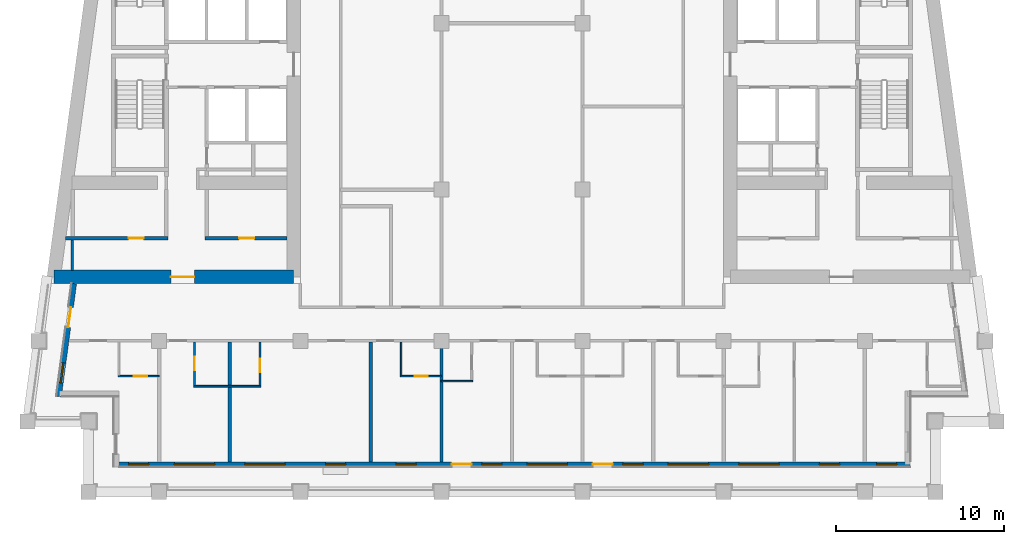
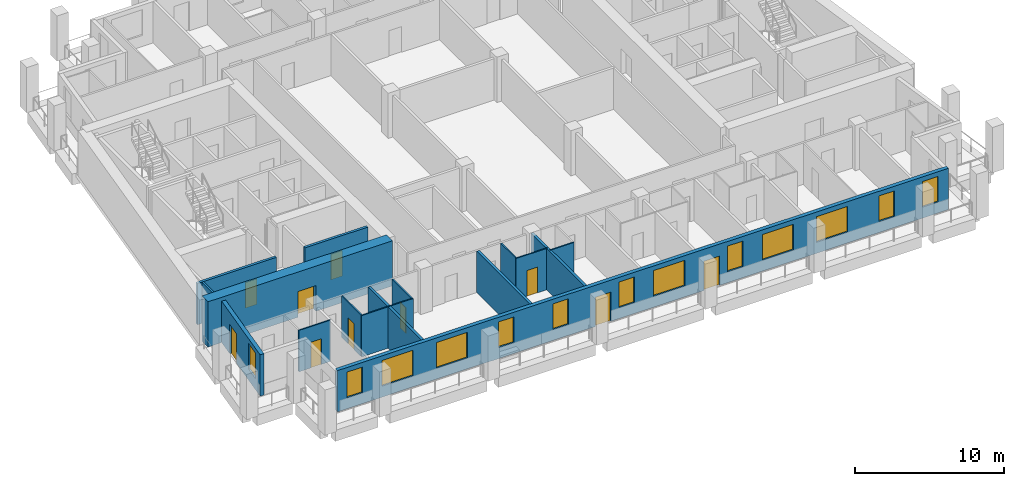
# One storey, part 2 of 12: 16 walls, 13 windows, 10 doors, 23 openings.
"""IFC4 building model written with IfcOpenShell, lengths in metres."""

from ifc_helpers import new_model, si_unit, direction, frame, frame_2d, origin, place, context, subcontext, project, spatial, rectangle, extrude, material, layer, layer_set, type_object, element, fill, save


model = new_model("IFC4")

# Units and contexts
model_context = context("Model", 3, precision=1e-05, world=origin(), true_north=direction((0.0, 1.0)))
body_context = subcontext(model_context, "Body", "Model", "MODEL_VIEW")
ifc_project = project(units=[si_unit("LENGTHUNIT", "METRE"), si_unit("AREAUNIT", "SQUARE_METRE"), si_unit("VOLUMEUNIT", "CUBIC_METRE"), si_unit("PLANEANGLEUNIT", "RADIAN"), si_unit("MASSUNIT", "GRAM", prefix="KILO")], contexts=[model_context])

# Site, building, storey
site_placement = place(None, origin())
site = spatial("IfcSite", under=ifc_project, at=site_placement, CompositionType="ELEMENT")
building_placement = place(site_placement, origin())
building = spatial("IfcBuilding", under=site, at=building_placement, Name="Candeia Pilgrim Tower and Theatre", CompositionType="ELEMENT")
storey_placement = place(building_placement, frame((0.0, 0.0, 217.0)))
storey = spatial("IfcBuildingStorey", under=building, at=storey_placement, Name="L52", CompositionType="ELEMENT", Elevation=217.0)

# Wall, opening, door
ifc_material_1 = material(Name="Concrete C50/60", Category="concrete")
ifc_layer_1 = layer(ifc_material_1, 0.800048828125)
ifc_layer_set_1 = layer_set([ifc_layer_1], Name="Core wall 800 C50/60")
wall_type_1 = type_object("IfcWallType", Name="Core wall 800 C50/60", PredefinedType="SHEAR", material=ifc_layer_set_1)
wall_1_placement = place(storey_placement, frame((100.39990234375, 110.800048828125, 0.0), z_axis=(0.0, 0.0, 1.0), x_axis=(-1.0, 0.0, 0.0)))
wall_1 = element("IfcWall", 1, at=wall_1_placement, inside=storey, type_object=wall_type_1, Name="Core wall W3", PredefinedType="SHEAR", context=body_context, shape_type="SweptSolid", body=[
    extrude(rectangle(XDim=14.273193359375, YDim=0.800048828125, at=frame_2d((7.13671875, 0.0))), origin(), (0.0, 0.0, 1.0), 3.699951171875),
])
opening_1_placement = place(wall_1_placement, frame((5.907958984375, 0.0, 0.0)))
opening_1 = element("IfcOpeningElement", 2, at=opening_1_placement, cuts=wall_1, Name="Opening L52-D053", PredefinedType="OPENING", context=body_context, shape_type="SweptSolid", body=[
    extrude(rectangle(XDim=1.39990234375, YDim=2.10009765625, at=frame_2d((0.699951171875, 1.050048828125))), frame((0.0, 0.41015625, 0.0), z_axis=(0.0, -1.0, 0.0), x_axis=(1.0, 0.0, 0.0)), (0.0, 0.0, 1.0), 0.820068359375),
])
ifc_material_2 = material(Name="Steel fire door set", Category="steel")
door_type_1 = type_object("IfcDoorType", Name="D-1400-FD60", OperationType="NOTDEFINED", PredefinedType="DOOR", material=ifc_material_2)
door_1_placement = place(opening_1_placement, origin())
door_1 = element("IfcDoor", 3, at=door_1_placement, inside=storey, type_object=door_type_1, Name="Door L52-D053", OperationType="SINGLE_SWING_LEFT", OverallHeight=2.10009765625, OverallWidth=1.39990234375, PredefinedType="DOOR", context=body_context, shape_type="SweptSolid", body=[
    extrude(rectangle(XDim=1.39990234375, YDim=2.10009765625, at=frame_2d((0.699951171875, 1.050048828125))), frame((0.0, 0.02490234375, 0.0), z_axis=(0.0, -1.0, 0.0), x_axis=(1.0, 0.0, 0.0)), (0.0, 0.0, 1.0), 0.050048828125),
])
fill(opening_1, door_1)

# Wall, openings, doors, windows
ifc_material_3 = material(Name="Ceramic block masonry", Category="masonry")
ifc_layer_2 = layer(ifc_material_3, 0.300048828125)
ifc_layer_set_2 = layer_set([ifc_layer_2], Name="EW1 glazing-line wall 300")
wall_type_2 = type_object("IfcWallType", Name="EW1 glazing-line wall 300", PredefinedType="SOLIDWALL", material=ifc_layer_set_2)
wall_2_placement = place(storey_placement, frame((89.85009765625, 99.64990234375, 0.0), z_axis=(0.0, 0.0, 1.0), x_axis=(1.0, 0.0, 0.0)))
wall_2 = element("IfcWall", 4, at=wall_2_placement, inside=storey, type_object=wall_type_2, Name="External wall L52-0.0", PredefinedType="SOLIDWALL", context=body_context, shape_type="SweptSolid", body=[
    extrude(rectangle(XDim=47.25, YDim=0.300048828125, at=frame_2d((23.625, 0.0))), origin(), (0.0, 0.0, 1.0), 3.3798828125),
])
opening_2_placement = place(wall_2_placement, frame((0.72509765625, 0.0, 0.89990234375)))
opening_2 = element("IfcOpeningElement", 5, at=opening_2_placement, cuts=wall_2, Name="Opening W-B", PredefinedType="OPENING", context=body_context, shape_type="SweptSolid", body=[
    extrude(rectangle(XDim=1.199951171875, YDim=2.10009765625, at=frame_2d((0.60009765625, 1.050048828125))), frame((0.0, 0.16015625, 0.0), z_axis=(0.0, -1.0, 0.0), x_axis=(1.0, 0.0, 0.0)), (0.0, 0.0, 1.0), 0.320068359375),
])
opening_3_placement = place(wall_2_placement, frame((3.449951171875, 0.0, 0.89990234375)))
opening_3 = element("IfcOpeningElement", 6, at=opening_3_placement, cuts=wall_2, Name="Opening W-A", PredefinedType="OPENING", context=body_context, shape_type="SweptSolid", body=[
    extrude(rectangle(XDim=2.39990234375, YDim=2.10009765625, at=frame_2d((1.199951171875, 1.050048828125))), frame((0.0, 0.16015625, 0.0), z_axis=(0.0, -1.0, 0.0), x_axis=(1.0, 0.0, 0.0)), (0.0, 0.0, 1.0), 0.320068359375),
])
opening_4_placement = place(wall_2_placement, frame((7.64990234375, 0.0, 0.89990234375)))
opening_4 = element("IfcOpeningElement", 7, at=opening_4_placement, cuts=wall_2, Name="Opening W-A", PredefinedType="OPENING", context=body_context, shape_type="SweptSolid", body=[
    extrude(rectangle(XDim=2.39990234375, YDim=2.10009765625, at=frame_2d((1.199951171875, 1.050048828125))), frame((0.0, 0.16015625, 0.0), z_axis=(0.0, -1.0, 0.0), x_axis=(1.0, 0.0, 0.0)), (0.0, 0.0, 1.0), 0.320068359375),
])
opening_5_placement = place(wall_2_placement, frame((12.449951171875, 0.0, 0.89990234375)))
opening_5 = element("IfcOpeningElement", 8, at=opening_5_placement, cuts=wall_2, Name="Opening W-B", PredefinedType="OPENING", context=body_context, shape_type="SweptSolid", body=[
    extrude(rectangle(XDim=1.199951171875, YDim=2.10009765625, at=frame_2d((0.60009765625, 1.050048828125))), frame((0.0, 0.16015625, 0.0), z_axis=(0.0, -1.0, 0.0), x_axis=(1.0, 0.0, 0.0)), (0.0, 0.0, 1.0), 0.320068359375),
])
opening_6_placement = place(wall_2_placement, frame((16.64990234375, 0.0, 0.89990234375)))
opening_6 = element("IfcOpeningElement", 9, at=opening_6_placement, cuts=wall_2, Name="Opening W-B", PredefinedType="OPENING", context=body_context, shape_type="SweptSolid", body=[
    extrude(rectangle(XDim=1.199951171875, YDim=2.10009765625, at=frame_2d((0.60009765625, 1.050048828125))), frame((0.0, 0.16015625, 0.0), z_axis=(0.0, -1.0, 0.0), x_axis=(1.0, 0.0, 0.0)), (0.0, 0.0, 1.0), 0.320068359375),
])
opening_7_placement = place(wall_2_placement, frame((19.949951171875, 0.0, 0.0)))
opening_7 = element("IfcOpeningElement", 10, at=opening_7_placement, cuts=wall_2, Name="Opening L52-ED493", PredefinedType="OPENING", context=body_context, shape_type="SweptSolid", body=[
    extrude(rectangle(XDim=1.199951171875, YDim=2.39990234375, at=frame_2d((0.60009765625, 1.199951171875))), frame((0.0, 0.16015625, 0.0), z_axis=(0.0, -1.0, 0.0), x_axis=(1.0, 0.0, 0.0)), (0.0, 0.0, 1.0), 0.320068359375),
])
opening_8_placement = place(wall_2_placement, frame((21.75, 0.0, 0.89990234375)))
opening_8 = element("IfcOpeningElement", 11, at=opening_8_placement, cuts=wall_2, Name="Opening W-B", PredefinedType="OPENING", context=body_context, shape_type="SweptSolid", body=[
    extrude(rectangle(XDim=1.199951171875, YDim=2.10009765625, at=frame_2d((0.60009765625, 1.050048828125))), frame((0.0, 0.16015625, 0.0), z_axis=(0.0, -1.0, 0.0), x_axis=(1.0, 0.0, 0.0)), (0.0, 0.0, 1.0), 0.320068359375),
])
opening_9_placement = place(wall_2_placement, frame((24.449951171875, 0.0, 0.89990234375)))
opening_9 = element("IfcOpeningElement", 12, at=opening_9_placement, cuts=wall_2, Name="Opening W-A", PredefinedType="OPENING", context=body_context, shape_type="SweptSolid", body=[
    extrude(rectangle(XDim=2.39990234375, YDim=2.10009765625, at=frame_2d((1.199951171875, 1.050048828125))), frame((0.0, 0.16015625, 0.0), z_axis=(0.0, -1.0, 0.0), x_axis=(1.0, 0.0, 0.0)), (0.0, 0.0, 1.0), 0.320068359375),
])
opening_10_placement = place(wall_2_placement, frame((28.35009765625, 0.0, 0.0)))
opening_10 = element("IfcOpeningElement", 13, at=opening_10_placement, cuts=wall_2, Name="Opening L52-ED494", PredefinedType="OPENING", context=body_context, shape_type="SweptSolid", body=[
    extrude(rectangle(XDim=1.199951171875, YDim=2.39990234375, at=frame_2d((0.60009765625, 1.199951171875))), frame((0.0, 0.16015625, 0.0), z_axis=(0.0, -1.0, 0.0), x_axis=(1.0, 0.0, 0.0)), (0.0, 0.0, 1.0), 0.320068359375),
])
opening_11_placement = place(wall_2_placement, frame((30.14990234375, 0.0, 0.89990234375)))
opening_11 = element("IfcOpeningElement", 14, at=opening_11_placement, cuts=wall_2, Name="Opening W-B", PredefinedType="OPENING", context=body_context, shape_type="SweptSolid", body=[
    extrude(rectangle(XDim=1.199951171875, YDim=2.10009765625, at=frame_2d((0.60009765625, 1.050048828125))), frame((0.0, 0.16015625, 0.0), z_axis=(0.0, -1.0, 0.0), x_axis=(1.0, 0.0, 0.0)), (0.0, 0.0, 1.0), 0.320068359375),
])
opening_12_placement = place(wall_2_placement, frame((32.85009765625, 0.0, 0.89990234375)))
opening_12 = element("IfcOpeningElement", 15, at=opening_12_placement, cuts=wall_2, Name="Opening W-A", PredefinedType="OPENING", context=body_context, shape_type="SweptSolid", body=[
    extrude(rectangle(XDim=2.39990234375, YDim=2.10009765625, at=frame_2d((1.199951171875, 1.050048828125))), frame((0.0, 0.16015625, 0.0), z_axis=(0.0, -1.0, 0.0), x_axis=(1.0, 0.0, 0.0)), (0.0, 0.0, 1.0), 0.320068359375),
])
opening_13_placement = place(wall_2_placement, frame((37.050048828125, 0.0, 0.89990234375)))
opening_13 = element("IfcOpeningElement", 16, at=opening_13_placement, cuts=wall_2, Name="Opening W-A", PredefinedType="OPENING", context=body_context, shape_type="SweptSolid", body=[
    extrude(rectangle(XDim=2.39990234375, YDim=2.10009765625, at=frame_2d((1.199951171875, 1.050048828125))), frame((0.0, 0.16015625, 0.0), z_axis=(0.0, -1.0, 0.0), x_axis=(1.0, 0.0, 0.0)), (0.0, 0.0, 1.0), 0.320068359375),
])
opening_14_placement = place(wall_2_placement, frame((41.85009765625, 0.0, 0.89990234375)))
opening_14 = element("IfcOpeningElement", 17, at=opening_14_placement, cuts=wall_2, Name="Opening W-B", PredefinedType="OPENING", context=body_context, shape_type="SweptSolid", body=[
    extrude(rectangle(XDim=1.199951171875, YDim=2.10009765625, at=frame_2d((0.60009765625, 1.050048828125))), frame((0.0, 0.16015625, 0.0), z_axis=(0.0, -1.0, 0.0), x_axis=(1.0, 0.0, 0.0)), (0.0, 0.0, 1.0), 0.320068359375),
])
opening_15_placement = place(wall_2_placement, frame((45.25, 0.0, 0.89990234375)))
opening_15 = element("IfcOpeningElement", 18, at=opening_15_placement, cuts=wall_2, Name="Opening W-B", PredefinedType="OPENING", context=body_context, shape_type="SweptSolid", body=[
    extrude(rectangle(XDim=1.199951171875, YDim=2.10009765625, at=frame_2d((0.60009765625, 1.050048828125))), frame((0.0, 0.16015625, 0.0), z_axis=(0.0, -1.0, 0.0), x_axis=(1.0, 0.0, 0.0)), (0.0, 0.0, 1.0), 0.320068359375),
])
ifc_material_4 = material(Name="Aluminium framed glazed door", Category="aluminium")
door_type_2 = type_object("IfcDoorType", Name="Loggia door 1200x2400", OperationType="DOUBLE_DOOR_SINGLE_SWING", PredefinedType="DOOR", material=ifc_material_4)
door_2_placement = place(opening_7_placement, origin())
door_2 = element("IfcDoor", 19, at=door_2_placement, inside=storey, type_object=door_type_2, Name="Loggia door L52-ED493", OperationType="DOUBLE_DOOR_SINGLE_SWING", OverallHeight=2.39990234375, OverallWidth=1.199951171875, PredefinedType="DOOR", context=body_context, shape_type="SweptSolid", body=[
    extrude(rectangle(XDim=1.199951171875, YDim=2.39990234375, at=frame_2d((0.60009765625, 1.199951171875))), frame((0.0, 0.02490234375, 0.0), z_axis=(0.0, -1.0, 0.0), x_axis=(1.0, 0.0, 0.0)), (0.0, 0.0, 1.0), 0.050048828125),
])
fill(opening_7, door_2)
door_3_placement = place(opening_10_placement, origin())
door_3 = element("IfcDoor", 20, at=door_3_placement, inside=storey, type_object=door_type_2, Name="Loggia door L52-ED494", OperationType="DOUBLE_DOOR_SINGLE_SWING", OverallHeight=2.39990234375, OverallWidth=1.199951171875, PredefinedType="DOOR", context=body_context, shape_type="SweptSolid", body=[
    extrude(rectangle(XDim=1.199951171875, YDim=2.39990234375, at=frame_2d((0.60009765625, 1.199951171875))), frame((0.0, 0.02490234375, 0.0), z_axis=(0.0, -1.0, 0.0), x_axis=(1.0, 0.0, 0.0)), (0.0, 0.0, 1.0), 0.050048828125),
])
fill(opening_10, door_3)
ifc_material_5 = material(Name="Aluminium framed double glazing", Category="aluminium")
window_type_1 = type_object("IfcWindowType", Name="W-A window 2400x2100", PartitioningType="DOUBLE_PANEL_VERTICAL", PredefinedType="WINDOW", material=ifc_material_5)
window_1_placement = place(opening_3_placement, origin())
window_1 = element("IfcWindow", 21, at=window_1_placement, inside=storey, type_object=window_type_1, Name="Window W-A L52", OverallHeight=2.10009765625, OverallWidth=2.39990234375, PartitioningType="SINGLE_PANEL", PredefinedType="WINDOW", context=body_context, shape_type="SweptSolid", body=[
    extrude(rectangle(XDim=2.39990234375, YDim=2.10009765625, at=frame_2d((1.199951171875, 1.050048828125))), frame((0.0, 0.030029296875, 0.0), z_axis=(0.0, -1.0, 0.0), x_axis=(1.0, 0.0, 0.0)), (0.0, 0.0, 1.0), 0.06005859375),
])
fill(opening_3, window_1)
window_2_placement = place(opening_4_placement, origin())
window_2 = element("IfcWindow", 22, at=window_2_placement, inside=storey, type_object=window_type_1, Name="Window W-A L52", OverallHeight=2.10009765625, OverallWidth=2.39990234375, PartitioningType="SINGLE_PANEL", PredefinedType="WINDOW", context=body_context, shape_type="SweptSolid", body=[
    extrude(rectangle(XDim=2.39990234375, YDim=2.10009765625, at=frame_2d((1.199951171875, 1.050048828125))), frame((0.0, 0.030029296875, 0.0), z_axis=(0.0, -1.0, 0.0), x_axis=(1.0, 0.0, 0.0)), (0.0, 0.0, 1.0), 0.06005859375),
])
fill(opening_4, window_2)
window_3_placement = place(opening_9_placement, origin())
window_3 = element("IfcWindow", 23, at=window_3_placement, inside=storey, type_object=window_type_1, Name="Window W-A L52", OverallHeight=2.10009765625, OverallWidth=2.39990234375, PartitioningType="SINGLE_PANEL", PredefinedType="WINDOW", context=body_context, shape_type="SweptSolid", body=[
    extrude(rectangle(XDim=2.39990234375, YDim=2.10009765625, at=frame_2d((1.199951171875, 1.050048828125))), frame((0.0, 0.030029296875, 0.0), z_axis=(0.0, -1.0, 0.0), x_axis=(1.0, 0.0, 0.0)), (0.0, 0.0, 1.0), 0.06005859375),
])
fill(opening_9, window_3)
window_4_placement = place(opening_12_placement, origin())
window_4 = element("IfcWindow", 24, at=window_4_placement, inside=storey, type_object=window_type_1, Name="Window W-A L52", OverallHeight=2.10009765625, OverallWidth=2.39990234375, PartitioningType="SINGLE_PANEL", PredefinedType="WINDOW", context=body_context, shape_type="SweptSolid", body=[
    extrude(rectangle(XDim=2.39990234375, YDim=2.10009765625, at=frame_2d((1.199951171875, 1.050048828125))), frame((0.0, 0.030029296875, 0.0), z_axis=(0.0, -1.0, 0.0), x_axis=(1.0, 0.0, 0.0)), (0.0, 0.0, 1.0), 0.06005859375),
])
fill(opening_12, window_4)
window_5_placement = place(opening_13_placement, origin())
window_5 = element("IfcWindow", 25, at=window_5_placement, inside=storey, type_object=window_type_1, Name="Window W-A L52", OverallHeight=2.10009765625, OverallWidth=2.39990234375, PartitioningType="SINGLE_PANEL", PredefinedType="WINDOW", context=body_context, shape_type="SweptSolid", body=[
    extrude(rectangle(XDim=2.39990234375, YDim=2.10009765625, at=frame_2d((1.199951171875, 1.050048828125))), frame((0.0, 0.030029296875, 0.0), z_axis=(0.0, -1.0, 0.0), x_axis=(1.0, 0.0, 0.0)), (0.0, 0.0, 1.0), 0.06005859375),
])
fill(opening_13, window_5)
window_type_2 = type_object("IfcWindowType", Name="W-B window 1200x2100", PartitioningType="SINGLE_PANEL", PredefinedType="WINDOW", material=ifc_material_5)
window_6_placement = place(opening_2_placement, origin())
window_6 = element("IfcWindow", 26, at=window_6_placement, inside=storey, type_object=window_type_2, Name="Window W-B L52", OverallHeight=2.10009765625, OverallWidth=1.199951171875, PartitioningType="SINGLE_PANEL", PredefinedType="WINDOW", context=body_context, shape_type="SweptSolid", body=[
    extrude(rectangle(XDim=1.199951171875, YDim=2.10009765625, at=frame_2d((0.60009765625, 1.050048828125))), frame((0.0, 0.030029296875, 0.0), z_axis=(0.0, -1.0, 0.0), x_axis=(1.0, 0.0, 0.0)), (0.0, 0.0, 1.0), 0.06005859375),
])
fill(opening_2, window_6)
window_7_placement = place(opening_5_placement, origin())
window_7 = element("IfcWindow", 27, at=window_7_placement, inside=storey, type_object=window_type_2, Name="Window W-B L52", OverallHeight=2.10009765625, OverallWidth=1.199951171875, PartitioningType="SINGLE_PANEL", PredefinedType="WINDOW", context=body_context, shape_type="SweptSolid", body=[
    extrude(rectangle(XDim=1.199951171875, YDim=2.10009765625, at=frame_2d((0.60009765625, 1.050048828125))), frame((0.0, 0.030029296875, 0.0), z_axis=(0.0, -1.0, 0.0), x_axis=(1.0, 0.0, 0.0)), (0.0, 0.0, 1.0), 0.06005859375),
])
fill(opening_5, window_7)
window_8_placement = place(opening_6_placement, origin())
window_8 = element("IfcWindow", 28, at=window_8_placement, inside=storey, type_object=window_type_2, Name="Window W-B L52", OverallHeight=2.10009765625, OverallWidth=1.199951171875, PartitioningType="SINGLE_PANEL", PredefinedType="WINDOW", context=body_context, shape_type="SweptSolid", body=[
    extrude(rectangle(XDim=1.199951171875, YDim=2.10009765625, at=frame_2d((0.60009765625, 1.050048828125))), frame((0.0, 0.030029296875, 0.0), z_axis=(0.0, -1.0, 0.0), x_axis=(1.0, 0.0, 0.0)), (0.0, 0.0, 1.0), 0.06005859375),
])
fill(opening_6, window_8)
window_9_placement = place(opening_8_placement, origin())
window_9 = element("IfcWindow", 29, at=window_9_placement, inside=storey, type_object=window_type_2, Name="Window W-B L52", OverallHeight=2.10009765625, OverallWidth=1.199951171875, PartitioningType="SINGLE_PANEL", PredefinedType="WINDOW", context=body_context, shape_type="SweptSolid", body=[
    extrude(rectangle(XDim=1.199951171875, YDim=2.10009765625, at=frame_2d((0.60009765625, 1.050048828125))), frame((0.0, 0.030029296875, 0.0), z_axis=(0.0, -1.0, 0.0), x_axis=(1.0, 0.0, 0.0)), (0.0, 0.0, 1.0), 0.06005859375),
])
fill(opening_8, window_9)
window_10_placement = place(opening_11_placement, origin())
window_10 = element("IfcWindow", 30, at=window_10_placement, inside=storey, type_object=window_type_2, Name="Window W-B L52", OverallHeight=2.10009765625, OverallWidth=1.199951171875, PartitioningType="SINGLE_PANEL", PredefinedType="WINDOW", context=body_context, shape_type="SweptSolid", body=[
    extrude(rectangle(XDim=1.199951171875, YDim=2.10009765625, at=frame_2d((0.60009765625, 1.050048828125))), frame((0.0, 0.030029296875, 0.0), z_axis=(0.0, -1.0, 0.0), x_axis=(1.0, 0.0, 0.0)), (0.0, 0.0, 1.0), 0.06005859375),
])
fill(opening_11, window_10)
window_11_placement = place(opening_14_placement, origin())
window_11 = element("IfcWindow", 31, at=window_11_placement, inside=storey, type_object=window_type_2, Name="Window W-B L52", OverallHeight=2.10009765625, OverallWidth=1.199951171875, PartitioningType="SINGLE_PANEL", PredefinedType="WINDOW", context=body_context, shape_type="SweptSolid", body=[
    extrude(rectangle(XDim=1.199951171875, YDim=2.10009765625, at=frame_2d((0.60009765625, 1.050048828125))), frame((0.0, 0.030029296875, 0.0), z_axis=(0.0, -1.0, 0.0), x_axis=(1.0, 0.0, 0.0)), (0.0, 0.0, 1.0), 0.06005859375),
])
fill(opening_14, window_11)
window_12_placement = place(opening_15_placement, origin())
window_12 = element("IfcWindow", 32, at=window_12_placement, inside=storey, type_object=window_type_2, Name="Window W-B L52", OverallHeight=2.10009765625, OverallWidth=1.199951171875, PartitioningType="SINGLE_PANEL", PredefinedType="WINDOW", context=body_context, shape_type="SweptSolid", body=[
    extrude(rectangle(XDim=1.199951171875, YDim=2.10009765625, at=frame_2d((0.60009765625, 1.050048828125))), frame((0.0, 0.030029296875, 0.0), z_axis=(0.0, -1.0, 0.0), x_axis=(1.0, 0.0, 0.0)), (0.0, 0.0, 1.0), 0.06005859375),
])
fill(opening_15, window_12)

# Wall, openings, door, window
wall_3_placement = place(storey_placement, frame((87.334228515625, 110.39990234375, 0.0), z_axis=(0.0, 0.0, 1.0), x_axis=(-0.133437175554, -0.991057273915, 0.0)))
wall_3 = element("IfcWall", 33, at=wall_3_placement, inside=storey, type_object=wall_type_2, Name="External wall L52-9.1", PredefinedType="SOLIDWALL", context=body_context, shape_type="SweptSolid", body=[
    extrude(rectangle(XDim=6.780517578125, YDim=0.300048828125, at=frame_2d((3.39013671875, 0.0))), origin(), (0.0, 0.0, 1.0), 3.3798828125),
])
opening_16_placement = place(wall_3_placement, frame((1.41796875, 0.0, 0.0)))
opening_16 = element("IfcOpeningElement", 34, at=opening_16_placement, cuts=wall_3, Name="Opening L52-ED502", PredefinedType="OPENING", context=body_context, shape_type="SweptSolid", body=[
    extrude(rectangle(XDim=1.199951171875, YDim=2.39990234375, at=frame_2d((0.60009765625, 1.199951171875))), frame((0.0, 0.16015625, 0.0), z_axis=(0.0, -1.0, 0.0), x_axis=(1.0, 0.0, 0.0)), (0.0, 0.0, 1.0), 0.320068359375),
])
opening_17_placement = place(wall_3_placement, frame((4.75830078125, 0.0, 0.89990234375)))
opening_17 = element("IfcOpeningElement", 35, at=opening_17_placement, cuts=wall_3, Name="Opening W-B", PredefinedType="OPENING", context=body_context, shape_type="SweptSolid", body=[
    extrude(rectangle(XDim=1.199951171875, YDim=2.10009765625, at=frame_2d((0.60009765625, 1.050048828125))), frame((0.0, 0.16015625, 0.0), z_axis=(0.0, -1.0, 0.0), x_axis=(1.0, 0.0, 0.0)), (0.0, 0.0, 1.0), 0.320068359375),
])
door_4_placement = place(opening_16_placement, origin())
door_4 = element("IfcDoor", 36, at=door_4_placement, inside=storey, type_object=door_type_2, Name="Loggia door L52-ED502", OperationType="DOUBLE_DOOR_SINGLE_SWING", OverallHeight=2.39990234375, OverallWidth=1.199951171875, PredefinedType="DOOR", context=body_context, shape_type="SweptSolid", body=[
    extrude(rectangle(XDim=1.199951171875, YDim=2.39990234375, at=frame_2d((0.60009765625, 1.199951171875))), frame((0.0, 0.02490234375, 0.0), z_axis=(0.0, -1.0, 0.0), x_axis=(1.0, 0.0, 0.0)), (0.0, 0.0, 1.0), 0.050048828125),
])
fill(opening_16, door_4)
window_13_placement = place(opening_17_placement, origin())
window_13 = element("IfcWindow", 37, at=window_13_placement, inside=storey, type_object=window_type_2, Name="Window W-B L52", OverallHeight=2.10009765625, OverallWidth=1.199951171875, PartitioningType="SINGLE_PANEL", PredefinedType="WINDOW", context=body_context, shape_type="SweptSolid", body=[
    extrude(rectangle(XDim=1.199951171875, YDim=2.10009765625, at=frame_2d((0.60009765625, 1.050048828125))), frame((0.0, 0.030029296875, 0.0), z_axis=(0.0, -1.0, 0.0), x_axis=(1.0, 0.0, 0.0)), (0.0, 0.0, 1.0), 0.06005859375),
])
fill(opening_17, window_13)

# Walls
ifc_material_6 = material(Name="Gypsum board partition on steel studs", Category="steel")
ifc_layer_3 = layer(ifc_material_6, 0.10009765625)
ifc_layer_set_3 = layer_set([ifc_layer_3], Name="PW-100 room partition")
wall_type_3 = type_object("IfcWallType", Name="PW-100 room partition", PredefinedType="PARTITIONING", material=ifc_layer_set_3)
wall_4_placement = place(storey_placement, frame((94.449951171875, 104.300048828125, 0.0), z_axis=(0.0, 0.0, 1.0), x_axis=(1.0, 0.0, 0.0)))
element("IfcWall", 38, at=wall_4_placement, inside=storey, type_object=wall_type_3, Name="Room partition L52-001", PredefinedType="PARTITIONING", context=body_context, shape_type="SweptSolid", body=[
    extrude(rectangle(XDim=4.0, YDim=0.10009765625, at=frame_2d((2.0, 0.0))), origin(), (0.0, 0.0, 1.0), 3.3798828125),
])
wall_5_placement = place(storey_placement, frame((109.199951171875, 104.60009765625, 0.0), z_axis=(0.0, 0.0, 1.0), x_axis=(1.0, 0.0, 0.0)))
element("IfcWall", 39, at=wall_5_placement, inside=storey, type_object=wall_type_3, Name="Room partition L52-004", PredefinedType="PARTITIONING", context=body_context, shape_type="SweptSolid", body=[
    extrude(rectangle(XDim=1.85009765625, YDim=0.10009765625, at=frame_2d((0.925048828125, 0.0))), origin(), (0.0, 0.0, 1.0), 3.3798828125),
])

# Wall, opening, door
wall_6_placement = place(storey_placement, frame((89.949951171875, 104.89990234375, 0.0), z_axis=(0.0, 0.0, 1.0), x_axis=(1.0, 0.0, 0.0)))
wall_6 = element("IfcWall", 40, at=wall_6_placement, inside=storey, type_object=wall_type_3, Name="Room partition L52-005", PredefinedType="PARTITIONING", context=body_context, shape_type="SweptSolid", body=[
    extrude(rectangle(XDim=2.449951171875, YDim=0.10009765625, at=frame_2d((1.22509765625, 0.0))), origin(), (0.0, 0.0, 1.0), 3.3798828125),
])
opening_18_placement = place(wall_6_placement, frame((0.93994140625, 0.0, 0.0)))
opening_18 = element("IfcOpeningElement", 41, at=opening_18_placement, cuts=wall_6, Name="Opening L52-D014", PredefinedType="OPENING", context=body_context, shape_type="SweptSolid", body=[
    extrude(rectangle(XDim=0.800048828125, YDim=2.10009765625, at=frame_2d((0.39990234375, 1.050048828125))), frame((0.0, 0.06005859375, 0.0), z_axis=(0.0, -1.0, 0.0), x_axis=(1.0, 0.0, 0.0)), (0.0, 0.0, 1.0), 0.1201171875),
])
ifc_material_7 = material(Name="Timber door leaf", Category="wood")
door_type_3 = type_object("IfcDoorType", Name="D-800", OperationType="NOTDEFINED", PredefinedType="DOOR", material=ifc_material_7)
door_5_placement = place(opening_18_placement, origin())
door_5 = element("IfcDoor", 42, at=door_5_placement, inside=storey, type_object=door_type_3, Name="Door L52-D014", OperationType="SINGLE_SWING_RIGHT", OverallHeight=2.10009765625, OverallWidth=0.800048828125, PredefinedType="DOOR", context=body_context, shape_type="SweptSolid", body=[
    extrude(rectangle(XDim=0.800048828125, YDim=2.10009765625, at=frame_2d((0.39990234375, 1.050048828125))), frame((0.0, 0.02490234375, 0.0), z_axis=(0.0, -1.0, 0.0), x_axis=(1.0, 0.0, 0.0)), (0.0, 0.0, 1.0), 0.050048828125),
])
fill(opening_18, door_5)

wall_7_placement = place(storey_placement, frame((106.75, 104.89990234375, 0.0), z_axis=(0.0, 0.0, 1.0), x_axis=(1.0, 0.0, 0.0)))
wall_7 = element("IfcWall", 43, at=wall_7_placement, inside=storey, type_object=wall_type_3, Name="Room partition L52-006", PredefinedType="PARTITIONING", context=body_context, shape_type="SweptSolid", body=[
    extrude(rectangle(XDim=2.449951171875, YDim=0.10009765625, at=frame_2d((1.22509765625, 0.0))), origin(), (0.0, 0.0, 1.0), 3.3798828125),
])
opening_19_placement = place(wall_7_placement, frame((0.85009765625, 0.0, 0.0)))
opening_19 = element("IfcOpeningElement", 44, at=opening_19_placement, cuts=wall_7, Name="Opening L52-D020", PredefinedType="OPENING", context=body_context, shape_type="SweptSolid", body=[
    extrude(rectangle(XDim=0.800048828125, YDim=2.10009765625, at=frame_2d((0.39990234375, 1.050048828125))), frame((0.0, 0.06005859375, 0.0), z_axis=(0.0, -1.0, 0.0), x_axis=(1.0, 0.0, 0.0)), (0.0, 0.0, 1.0), 0.1201171875),
])
door_6_placement = place(opening_19_placement, origin())
door_6 = element("IfcDoor", 45, at=door_6_placement, inside=storey, type_object=door_type_3, Name="Door L52-D020", OperationType="SINGLE_SWING_RIGHT", OverallHeight=2.10009765625, OverallWidth=0.800048828125, PredefinedType="DOOR", context=body_context, shape_type="SweptSolid", body=[
    extrude(rectangle(XDim=0.800048828125, YDim=2.10009765625, at=frame_2d((0.39990234375, 1.050048828125))), frame((0.0, 0.02490234375, 0.0), z_axis=(0.0, -1.0, 0.0), x_axis=(1.0, 0.0, 0.0)), (0.0, 0.0, 1.0), 0.050048828125),
])
fill(opening_19, door_6)

wall_8_placement = place(storey_placement, frame((94.5, 104.35009765625, 0.0), z_axis=(0.0, 0.0, 1.0), x_axis=(0.0, 1.0, 0.0)))
wall_8 = element("IfcWall", 46, at=wall_8_placement, inside=storey, type_object=wall_type_3, Name="Room partition L52-061", PredefinedType="PARTITIONING", context=body_context, shape_type="SweptSolid", body=[
    extrude(rectangle(XDim=2.574951171875, YDim=0.10009765625, at=frame_2d((1.28759765625, 0.0))), origin(), (0.0, 0.0, 1.0), 3.3798828125),
])
opening_20_placement = place(wall_8_placement, frame((0.89990234375, 0.0, 0.0)))
opening_20 = element("IfcOpeningElement", 47, at=opening_20_placement, cuts=wall_8, Name="Opening L52-D016", PredefinedType="OPENING", context=body_context, shape_type="SweptSolid", body=[
    extrude(rectangle(XDim=0.800048828125, YDim=2.10009765625, at=frame_2d((0.39990234375, 1.050048828125))), frame((0.0, 0.06005859375, 0.0), z_axis=(0.0, -1.0, 0.0), x_axis=(1.0, 0.0, 0.0)), (0.0, 0.0, 1.0), 0.1201171875),
])
door_7_placement = place(opening_20_placement, origin())
door_7 = element("IfcDoor", 48, at=door_7_placement, inside=storey, type_object=door_type_3, Name="Door L52-D016", OperationType="SINGLE_SWING_RIGHT", OverallHeight=2.10009765625, OverallWidth=0.800048828125, PredefinedType="DOOR", context=body_context, shape_type="SweptSolid", body=[
    extrude(rectangle(XDim=0.800048828125, YDim=2.10009765625, at=frame_2d((0.39990234375, 1.050048828125))), frame((0.0, 0.02490234375, 0.0), z_axis=(0.0, -1.0, 0.0), x_axis=(1.0, 0.0, 0.0)), (0.0, 0.0, 1.0), 0.050048828125),
])
fill(opening_20, door_7)

wall_9_placement = place(storey_placement, frame((98.39990234375, 104.35009765625, 0.0), z_axis=(0.0, 0.0, 1.0), x_axis=(0.0, 1.0, 0.0)))
wall_9 = element("IfcWall", 49, at=wall_9_placement, inside=storey, type_object=wall_type_3, Name="Room partition L52-071", PredefinedType="PARTITIONING", context=body_context, shape_type="SweptSolid", body=[
    extrude(rectangle(XDim=2.574951171875, YDim=0.10009765625, at=frame_2d((1.28759765625, 0.0))), origin(), (0.0, 0.0, 1.0), 3.3798828125),
])
opening_21_placement = place(wall_9_placement, frame((0.780029296875, 0.0, 0.0)))
opening_21 = element("IfcOpeningElement", 50, at=opening_21_placement, cuts=wall_9, Name="Opening L52-D018", PredefinedType="OPENING", context=body_context, shape_type="SweptSolid", body=[
    extrude(rectangle(XDim=0.800048828125, YDim=2.10009765625, at=frame_2d((0.39990234375, 1.050048828125))), frame((0.0, 0.06005859375, 0.0), z_axis=(0.0, -1.0, 0.0), x_axis=(1.0, 0.0, 0.0)), (0.0, 0.0, 1.0), 0.1201171875),
])
door_8_placement = place(opening_21_placement, origin())
door_8 = element("IfcDoor", 51, at=door_8_placement, inside=storey, type_object=door_type_3, Name="Door L52-D018", OperationType="SINGLE_SWING_RIGHT", OverallHeight=2.10009765625, OverallWidth=0.800048828125, PredefinedType="DOOR", context=body_context, shape_type="SweptSolid", body=[
    extrude(rectangle(XDim=0.800048828125, YDim=2.10009765625, at=frame_2d((0.39990234375, 1.050048828125))), frame((0.0, 0.02490234375, 0.0), z_axis=(0.0, -1.0, 0.0), x_axis=(1.0, 0.0, 0.0)), (0.0, 0.0, 1.0), 0.050048828125),
])
fill(opening_21, door_8)

# Walls
wall_10_placement = place(storey_placement, frame((106.800048828125, 104.949951171875, 0.0), z_axis=(0.0, 0.0, 1.0), x_axis=(0.0, 1.0, 0.0)))
element("IfcWall", 52, at=wall_10_placement, inside=storey, type_object=wall_type_3, Name="Room partition L52-079", PredefinedType="PARTITIONING", context=body_context, shape_type="SweptSolid", body=[
    extrude(rectangle(XDim=1.97509765625, YDim=0.10009765625, at=frame_2d((0.987548828125, 0.0))), origin(), (0.0, 0.0, 1.0), 3.3798828125),
])
ifc_layer_4 = layer(ifc_material_6, 0.14990234375)
ifc_layer_set_4 = layer_set([ifc_layer_4], Name="PW-150 lobby wall")
wall_type_4 = type_object("IfcWallType", Name="PW-150 lobby wall", PredefinedType="PARTITIONING", material=ifc_layer_set_4)
wall_11_placement = place(storey_placement, frame((87.22705078125, 111.199951171875, 0.0), z_axis=(0.0, 0.0, 1.0), x_axis=(0.0, 1.0, 0.0)))
element("IfcWall", 53, at=wall_11_placement, inside=storey, type_object=wall_type_4, Name="Lobby wall L52-050", PredefinedType="PARTITIONING", context=body_context, shape_type="SweptSolid", body=[
    extrude(rectangle(XDim=1.800048828125, YDim=0.14990234375, at=frame_2d((0.89990234375, 0.0))), origin(), (0.0, 0.0, 1.0), 3.3798828125),
])
ifc_layer_5 = layer(ifc_material_6, 0.199951171875)
ifc_layer_set_5 = layer_set([ifc_layer_5], Name="PW-200 party wall")
wall_type_5 = type_object("IfcWallType", Name="PW-200 party wall", PredefinedType="PARTITIONING", material=ifc_layer_set_5)
for number, where, z_axis, x_axis, name in (
    (54, (96.60009765625, 99.7900390625, 0.0), (0.0, 0.0, 1.0), (0.0, 1.0, 0.0), "Party wall L52-066"),
    (55, (105.0, 99.7900390625, 0.0), (0.0, 0.0, 1.0), (0.0, 1.0, 0.0), "Party wall L52-076"),
    (56, (109.199951171875, 99.7900390625, 0.0), (0.0, 0.0, 1.0), (0.0, 1.0, 0.0), "Party wall L52-081"),
):
    element("IfcWall", number, at=place(storey_placement, frame(where, z_axis=z_axis, x_axis=x_axis)), inside=storey, type_object=wall_type_5, Name=name, PredefinedType="PARTITIONING", context=body_context, shape_type="SweptSolid", body=[
        extrude(rectangle(XDim=7.135009765625, YDim=0.199951171875, at=frame_2d((3.5673828125, 0.0))), origin(), (0.0, 0.0, 1.0), 3.3798828125),
    ])

# Wall, opening, door
ifc_material_8 = material(Name="Concrete C40/50", Category="concrete")
ifc_layer_6 = layer(ifc_material_8, 0.199951171875)
ifc_layer_set_6 = layer_set([ifc_layer_6], Name="SW-200 shaft wall")
wall_type_6 = type_object("IfcWallType", Name="SW-200 shaft wall", PredefinedType="PARTITIONING", material=ifc_layer_set_6)
wall_12_placement = place(storey_placement, frame((86.809814453125, 113.10009765625, 0.0), z_axis=(0.0, 0.0, 1.0), x_axis=(1.0, 0.0, 0.0)))
wall_12 = element("IfcWall", 57, at=wall_12_placement, inside=storey, type_object=wall_type_6, Name="Shaft wall L52-011", PredefinedType="PARTITIONING", context=body_context, shape_type="SweptSolid", body=[
    extrude(rectangle(XDim=6.1171875, YDim=0.199951171875, at=frame_2d((3.05859375, 0.0))), origin(), (0.0, 0.0, 1.0), 3.3798828125),
])
opening_22_placement = place(wall_12_placement, frame((3.76708984375, 0.0, 0.0)))
opening_22 = element("IfcOpeningElement", 58, at=opening_22_placement, cuts=wall_12, Name="Opening L52-D005", PredefinedType="OPENING", context=body_context, shape_type="SweptSolid", body=[
    extrude(rectangle(XDim=0.89990234375, YDim=2.10009765625, at=frame_2d((0.449951171875, 1.050048828125))), frame((0.0, 0.10986328125, 0.0), z_axis=(0.0, -1.0, 0.0), x_axis=(1.0, 0.0, 0.0)), (0.0, 0.0, 1.0), 0.219970703125),
])
door_type_4 = type_object("IfcDoorType", Name="D-900-FD60", OperationType="NOTDEFINED", PredefinedType="DOOR", material=ifc_material_2)
door_9_placement = place(opening_22_placement, origin())
door_9 = element("IfcDoor", 59, at=door_9_placement, inside=storey, type_object=door_type_4, Name="Door L52-D005", OperationType="SINGLE_SWING_LEFT", OverallHeight=2.10009765625, OverallWidth=0.89990234375, PredefinedType="DOOR", context=body_context, shape_type="SweptSolid", body=[
    extrude(rectangle(XDim=0.89990234375, YDim=2.10009765625, at=frame_2d((0.449951171875, 1.050048828125))), frame((0.0, 0.02490234375, 0.0), z_axis=(0.0, -1.0, 0.0), x_axis=(1.0, 0.0, 0.0)), (0.0, 0.0, 1.0), 0.050048828125),
])
fill(opening_22, door_9)

wall_13_placement = place(storey_placement, frame((95.126953125, 113.10009765625, 0.0), z_axis=(0.0, 0.0, 1.0), x_axis=(1.0, 0.0, 0.0)))
wall_13 = element("IfcWall", 60, at=wall_13_placement, inside=storey, type_object=wall_type_6, Name="Shaft wall L52-012", PredefinedType="PARTITIONING", context=body_context, shape_type="SweptSolid", body=[
    extrude(rectangle(XDim=4.873046875, YDim=0.199951171875, at=frame_2d((2.4365234375, 0.0))), origin(), (0.0, 0.0, 1.0), 3.3798828125),
])
opening_23_placement = place(wall_13_placement, frame((2.037109375, 0.0, 0.0)))
opening_23 = element("IfcOpeningElement", 61, at=opening_23_placement, cuts=wall_13, Name="Opening L52-D006", PredefinedType="OPENING", context=body_context, shape_type="SweptSolid", body=[
    extrude(rectangle(XDim=0.89990234375, YDim=2.10009765625, at=frame_2d((0.449951171875, 1.050048828125))), frame((0.0, 0.10986328125, 0.0), z_axis=(0.0, -1.0, 0.0), x_axis=(1.0, 0.0, 0.0)), (0.0, 0.0, 1.0), 0.219970703125),
])
door_10_placement = place(opening_23_placement, origin())
door_10 = element("IfcDoor", 62, at=door_10_placement, inside=storey, type_object=door_type_4, Name="Door L52-D006", OperationType="SINGLE_SWING_RIGHT", OverallHeight=2.10009765625, OverallWidth=0.89990234375, PredefinedType="DOOR", context=body_context, shape_type="SweptSolid", body=[
    extrude(rectangle(XDim=0.89990234375, YDim=2.10009765625, at=frame_2d((0.449951171875, 1.050048828125))), frame((0.0, 0.02490234375, 0.0), z_axis=(0.0, -1.0, 0.0), x_axis=(1.0, 0.0, 0.0)), (0.0, 0.0, 1.0), 0.050048828125),
])
fill(opening_23, door_10)

save(model, "model.ifc")
